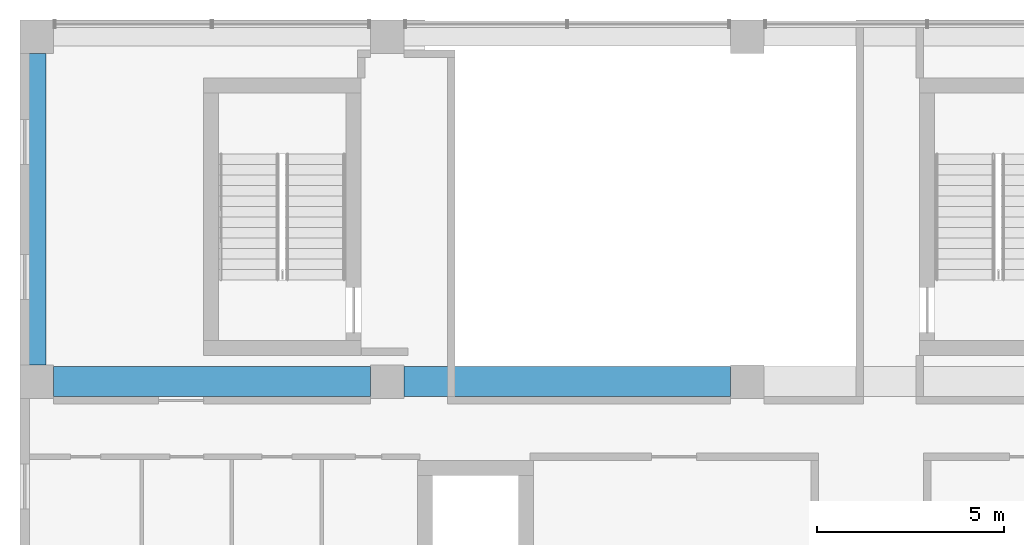
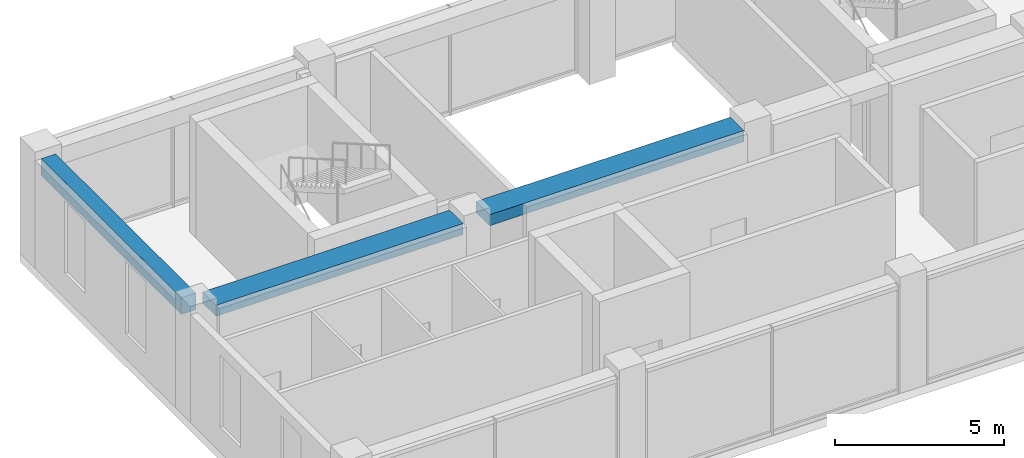
# One storey, part 20 of 37: 3 beams.
"""IFC4 building model written with IfcOpenShell, lengths in metres."""

from ifc_helpers import new_model, si_unit, direction, frame, origin, origin_2d, place, context, subcontext, project, spatial, rectangle, extrude, material, material_profile, profile_set, type_object, element, save


model = new_model("IFC4")

# Units and contexts
model_context = context("Model", 3, precision=1e-05, world=origin(), true_north=direction((0.0, 1.0)))
body_context = subcontext(model_context, "Body", "Model", "MODEL_VIEW")
ifc_project = project(units=[si_unit("LENGTHUNIT", "METRE"), si_unit("AREAUNIT", "SQUARE_METRE"), si_unit("VOLUMEUNIT", "CUBIC_METRE"), si_unit("PLANEANGLEUNIT", "RADIAN"), si_unit("MASSUNIT", "GRAM", prefix="KILO")], contexts=[model_context])

# Site, building, storey
site_placement = place(None, origin())
site = spatial("IfcSite", under=ifc_project, at=site_placement, CompositionType="ELEMENT")
building_placement = place(site_placement, origin())
building = spatial("IfcBuilding", under=site, at=building_placement, Name="Nzadi Deep Aquarium and Research Tower", CompositionType="ELEMENT")
storey_placement = place(building_placement, frame((0.0, 0.0, 61.300048828125)))
storey = spatial("IfcBuildingStorey", under=building, at=storey_placement, Name="L12", CompositionType="ELEMENT", Elevation=61.300048828125)

# Beams
ifc_material_1 = material(Name="Concrete C35/45", Category="concrete")
ifc_material_profile_1 = material_profile(ifc_material_1, rectangle(XDim=0.5, YDim=0.60009765625, at=origin_2d()))
ifc_profile_set_1 = profile_set([ifc_material_profile_1], Name="Concrete C35/45")
beam_type_1 = type_object("IfcBeamType", Name="RC 500x600", PredefinedType="BEAM", material=ifc_profile_set_1)
beam_1_placement = place(storey_placement, frame((0.25, 37.25, 3.599853515625), z_axis=(0.0, 1.0, 0.0), x_axis=(-1.0, 0.0, 0.0)))
element("IfcBeam", 1, at=beam_1_placement, inside=storey, type_object=beam_type_1, Name="B-Z1-L12-CA-2-4", PredefinedType="BEAM", context=body_context, shape_type="SweptSolid", body=[
    extrude(rectangle(XDim=0.5, YDim=0.60009765625, at=origin_2d()), origin(), (0.0, 0.0, 1.0), 8.300048828125),
])
ifc_material_2 = material(Name="Concrete C35/45", Category="concrete")
ifc_material_profile_2 = material_profile(ifc_material_2, rectangle(XDim=0.800048828125, YDim=0.39990234375, at=origin_2d()))
ifc_profile_set_2 = profile_set([ifc_material_profile_2], Name="Concrete C35/45")
beam_type_2 = type_object("IfcBeamType", Name="RC 800x400", PredefinedType="BEAM", material=ifc_profile_set_2)
beam_2_placement = place(storey_placement, frame((0.699951171875, 36.800048828125, 3.699951171875), z_axis=(1.0, 0.0, 0.0), x_axis=(0.0, 1.0, 0.0)))
element("IfcBeam", 2, at=beam_2_placement, inside=storey, type_object=beam_type_2, Name="B-Z1-L12-L5-1", PredefinedType="BEAM", context=body_context, shape_type="SweptSolid", body=[
    extrude(rectangle(XDim=0.800048828125, YDim=0.39990234375, at=origin_2d()), origin(), (0.0, 0.0, 1.0), 8.449951171875),
])
beam_3_placement = place(storey_placement, frame((10.050048828125, 36.800048828125, 3.699951171875), z_axis=(1.0, 0.0, 0.0), x_axis=(0.0, 1.0, 0.0)))
element("IfcBeam", 3, at=beam_3_placement, inside=storey, type_object=beam_type_2, Name="B-Z1-L12-L5-2", PredefinedType="BEAM", context=body_context, shape_type="SweptSolid", body=[
    extrude(rectangle(XDim=0.800048828125, YDim=0.39990234375, at=origin_2d()), origin(), (0.0, 0.0, 1.0), 8.699951171875),
])

save(model, "model.ifc")
